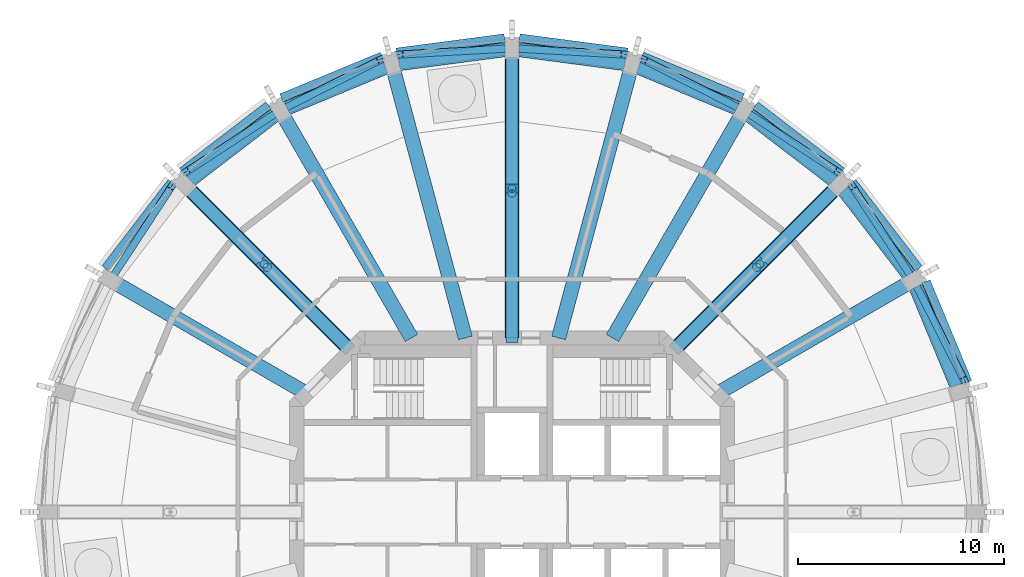
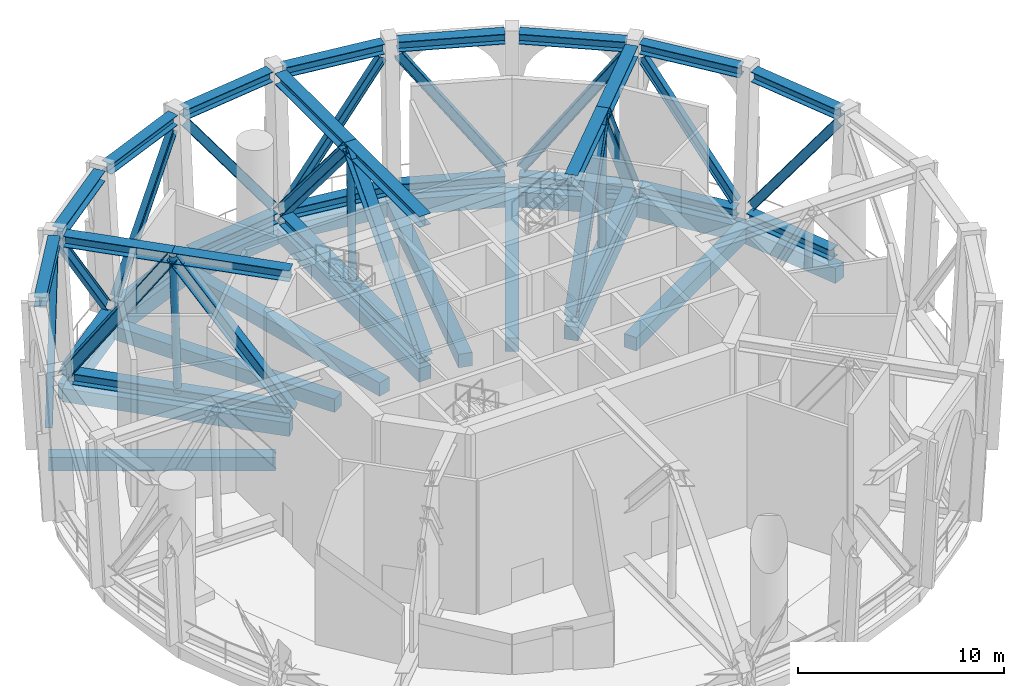
# One storey, part 3 of 12: 44 members, 17 beams.
"""IFC4 building model written with IfcOpenShell, lengths in metres."""

from ifc_helpers import new_model, si_unit, direction, frame, origin, origin_2d, place, context, subcontext, project, spatial, rectangle, hollow_circle, i_section, extrude, material, material_profile, profile_set, type_object, element, save


model = new_model("IFC4")

# Units and contexts
model_context = context("Model", 3, precision=1e-05, world=origin(), true_north=direction((0.0, 1.0)))
body_context = subcontext(model_context, "Body", "Model", "MODEL_VIEW")
ifc_project = project(units=[si_unit("LENGTHUNIT", "METRE"), si_unit("AREAUNIT", "SQUARE_METRE"), si_unit("VOLUMEUNIT", "CUBIC_METRE"), si_unit("PLANEANGLEUNIT", "RADIAN"), si_unit("MASSUNIT", "GRAM", prefix="KILO")], contexts=[model_context])

# Site, building, storey
site_placement = place(None, origin())
site = spatial("IfcSite", under=ifc_project, at=site_placement, CompositionType="ELEMENT")
building_placement = place(site_placement, origin())
building = spatial("IfcBuilding", under=site, at=building_placement, Name="Torre Triforio", CompositionType="ELEMENT")
storey_placement = place(building_placement, frame((0.0, 0.0, 183.800048828125)))
storey = spatial("IfcBuildingStorey", under=building, at=storey_placement, Name="L42", CompositionType="ELEMENT", Elevation=183.800048828125)

# Members
ifc_material_1 = material(Name="Steel ASTM A572 Gr 50", Category="steel")
ifc_material_profile_1 = material_profile(ifc_material_1, i_section(OverallWidth=0.60009765625, OverallDepth=0.60009765625, WebThickness=0.02490234375, FlangeThickness=0.031494140625, at=origin_2d()), Name="CS 600x402")
ifc_profile_set_1 = profile_set([ifc_material_profile_1], Name="Steel ASTM A572 Gr 50")
member_type_1 = type_object("IfcMemberType", Name="Belt truss chord CS 600x402", PredefinedType="CHORD", material=ifc_profile_set_1)
member_1_placement = place(storey_placement, frame((21.6142578125, 6.15380859375, 0.300048828125), z_axis=(-0.382683922195, 0.923879329617, 0.0), x_axis=(-0.923879329617, -0.382683922195, 0.0)))
element("IfcMember", 1, at=member_1_placement, inside=storey, type_object=member_type_1, Name="BT.L42.01.CB", PredefinedType="CHORD", context=body_context, shape_type="SweptSolid", body=[
    extrude(i_section(OverallWidth=0.60009765625, OverallDepth=0.60009765625, WebThickness=0.02490234375, FlangeThickness=0.031494140625, at=origin_2d()), origin(), (0.0, 0.0, 1.0), 5.172119140625),
])
member_2_placement = place(storey_placement, frame((22.050048828125, 6.270751953125, 8.419921875), z_axis=(-0.382671106265, 0.923884638053, 0.0), x_axis=(-0.923884638053, -0.382671106265, 0.0)))
element("IfcMember", 2, at=member_2_placement, inside=storey, type_object=member_type_1, Name="BT.L42.01.CT", PredefinedType="CHORD", context=body_context, shape_type="SweptSolid", body=[
    extrude(i_section(OverallWidth=0.60009765625, OverallDepth=0.60009765625, WebThickness=0.02490234375, FlangeThickness=0.031494140625, at=origin_2d()), origin(), (0.0, 0.0, 1.0), 5.28955078125),
])
member_3_placement = place(storey_placement, frame((19.28515625, 11.538330078125, 0.300048828125), z_axis=(-0.608777333053, 0.793341136436, 0.0), x_axis=(-0.793341136436, -0.608777333053, 0.0)))
element("IfcMember", 3, at=member_3_placement, inside=storey, type_object=member_type_1, Name="BT.L42.02.CB", PredefinedType="CHORD", context=body_context, shape_type="SweptSolid", body=[
    extrude(i_section(OverallWidth=0.60009765625, OverallDepth=0.60009765625, WebThickness=0.02490234375, FlangeThickness=0.031494140625, at=origin_2d()), origin(), (0.0, 0.0, 1.0), 5.172119140625),
])
member_4_placement = place(storey_placement, frame((19.67578125, 11.763916015625, 8.419921875), z_axis=(-0.608751235052, 0.793361162285, 0.0), x_axis=(-0.793361162285, -0.608751235052, 0.0)))
element("IfcMember", 4, at=member_4_placement, inside=storey, type_object=member_type_1, Name="BT.L42.02.CT", PredefinedType="CHORD", context=body_context, shape_type="SweptSolid", body=[
    extrude(i_section(OverallWidth=0.60009765625, OverallDepth=0.60009765625, WebThickness=0.02490234375, FlangeThickness=0.031494140625, at=origin_2d()), origin(), (0.0, 0.0, 1.0), 5.289794921875),
])
member_5_placement = place(storey_placement, frame((15.6416015625, 16.136474609375, 0.300048828125), z_axis=(-0.793341136436, 0.608777333053, 0.0), x_axis=(-0.608777333053, -0.793341136436, 0.0)))
element("IfcMember", 5, at=member_5_placement, inside=storey, type_object=member_type_1, Name="BT.L42.03.CB", PredefinedType="CHORD", context=body_context, shape_type="SweptSolid", body=[
    extrude(i_section(OverallWidth=0.60009765625, OverallDepth=0.60009765625, WebThickness=0.02490234375, FlangeThickness=0.031494140625, at=origin_2d()), origin(), (0.0, 0.0, 1.0), 5.172119140625),
])
member_6_placement = place(storey_placement, frame((15.960693359375, 16.45556640625, 8.419921875), z_axis=(-0.793361162285, 0.608751235052, 0.0), x_axis=(-0.608751235052, -0.793361162285, 0.0)))
element("IfcMember", 6, at=member_6_placement, inside=storey, type_object=member_type_1, Name="BT.L42.03.CT", PredefinedType="CHORD", context=body_context, shape_type="SweptSolid", body=[
    extrude(i_section(OverallWidth=0.60009765625, OverallDepth=0.60009765625, WebThickness=0.02490234375, FlangeThickness=0.031494140625, at=origin_2d()), origin(), (0.0, 0.0, 1.0), 5.289794921875),
])
member_7_placement = place(storey_placement, frame((10.93212890625, 19.635009765625, 0.300048828125), z_axis=(-0.923879329617, 0.382683922195, 0.0), x_axis=(-0.382683922195, -0.923879329617, 0.0)))
element("IfcMember", 7, at=member_7_placement, inside=storey, type_object=member_type_1, Name="BT.L42.04.CB", PredefinedType="CHORD", context=body_context, shape_type="SweptSolid", body=[
    extrude(i_section(OverallWidth=0.60009765625, OverallDepth=0.60009765625, WebThickness=0.02490234375, FlangeThickness=0.031494140625, at=origin_2d()), origin(), (0.0, 0.0, 1.0), 5.172119140625),
])
member_8_placement = place(storey_placement, frame((11.15771484375, 20.02587890625, 8.419921875), z_axis=(-0.923884638053, 0.382671106265, 0.0), x_axis=(-0.382671106265, -0.923884638053, 0.0)))
element("IfcMember", 8, at=member_8_placement, inside=storey, type_object=member_type_1, Name="BT.L42.04.CT", PredefinedType="CHORD", context=body_context, shape_type="SweptSolid", body=[
    extrude(i_section(OverallWidth=0.60009765625, OverallDepth=0.60009765625, WebThickness=0.02490234375, FlangeThickness=0.031494140625, at=origin_2d()), origin(), (0.0, 0.0, 1.0), 5.28955078125),
])
member_9_placement = place(storey_placement, frame((5.477783203125, 21.79541015625, 0.300048828125), z_axis=(-0.99143934679, 0.13056807281, 0.0), x_axis=(-0.13056807281, -0.99143934679, 0.0)))
element("IfcMember", 9, at=member_9_placement, inside=storey, type_object=member_type_1, Name="BT.L42.05.CB", PredefinedType="CHORD", context=body_context, shape_type="SweptSolid", body=[
    extrude(i_section(OverallWidth=0.60009765625, OverallDepth=0.60009765625, WebThickness=0.02490234375, FlangeThickness=0.031494140625, at=origin_2d()), origin(), (0.0, 0.0, 1.0), 5.171875),
])
member_10_placement = place(storey_placement, frame((5.594482421875, 22.231201171875, 8.419921875), z_axis=(-0.991445024435, 0.130524953638, 0.0), x_axis=(-0.130524953638, -0.991445024435, 0.0)))
element("IfcMember", 10, at=member_10_placement, inside=storey, type_object=member_type_1, Name="BT.L42.05.CT", PredefinedType="CHORD", context=body_context, shape_type="SweptSolid", body=[
    extrude(i_section(OverallWidth=0.60009765625, OverallDepth=0.60009765625, WebThickness=0.02490234375, FlangeThickness=0.031494140625, at=origin_2d()), origin(), (0.0, 0.0, 1.0), 5.28955078125),
])
member_11_placement = place(storey_placement, frame((-0.35009765625, 22.470703125, 0.300048828125), z_axis=(-0.99143934679, -0.13056807281, 0.0), x_axis=(0.13056807281, -0.99143934679, 0.0)))
element("IfcMember", 11, at=member_11_placement, inside=storey, type_object=member_type_1, Name="BT.L42.06.CB", PredefinedType="CHORD", context=body_context, shape_type="SweptSolid", body=[
    extrude(i_section(OverallWidth=0.60009765625, OverallDepth=0.60009765625, WebThickness=0.02490234375, FlangeThickness=0.031494140625, at=origin_2d()), origin(), (0.0, 0.0, 1.0), 5.171875),
])
member_12_placement = place(storey_placement, frame((-0.35009765625, 22.921630859375, 8.419921875), z_axis=(-0.991445024435, -0.130524953638, 0.0), x_axis=(0.130524953638, -0.991445024435, 0.0)))
element("IfcMember", 12, at=member_12_placement, inside=storey, type_object=member_type_1, Name="BT.L42.06.CT", PredefinedType="CHORD", context=body_context, shape_type="SweptSolid", body=[
    extrude(i_section(OverallWidth=0.60009765625, OverallDepth=0.60009765625, WebThickness=0.02490234375, FlangeThickness=0.031494140625, at=origin_2d()), origin(), (0.0, 0.0, 1.0), 5.28955078125),
])
member_13_placement = place(storey_placement, frame((-6.15380859375, 21.6142578125, 0.300048828125), z_axis=(-0.923879329617, -0.382683922195, 0.0), x_axis=(0.382683922195, -0.923879329617, 0.0)))
element("IfcMember", 13, at=member_13_placement, inside=storey, type_object=member_type_1, Name="BT.L42.07.CB", PredefinedType="CHORD", context=body_context, shape_type="SweptSolid", body=[
    extrude(i_section(OverallWidth=0.60009765625, OverallDepth=0.60009765625, WebThickness=0.02490234375, FlangeThickness=0.031494140625, at=origin_2d()), origin(), (0.0, 0.0, 1.0), 5.172119140625),
])
member_14_placement = place(storey_placement, frame((-6.270751953125, 22.050048828125, 8.419921875), z_axis=(-0.923884638053, -0.382671106265, 0.0), x_axis=(0.382671106265, -0.923884638053, 0.0)))
element("IfcMember", 14, at=member_14_placement, inside=storey, type_object=member_type_1, Name="BT.L42.07.CT", PredefinedType="CHORD", context=body_context, shape_type="SweptSolid", body=[
    extrude(i_section(OverallWidth=0.60009765625, OverallDepth=0.60009765625, WebThickness=0.02490234375, FlangeThickness=0.031494140625, at=origin_2d()), origin(), (0.0, 0.0, 1.0), 5.28955078125),
])
member_15_placement = place(storey_placement, frame((-11.538330078125, 19.28515625, 0.300048828125), z_axis=(-0.793341136436, -0.608777333053, 0.0), x_axis=(0.608777333053, -0.793341136436, 0.0)))
element("IfcMember", 15, at=member_15_placement, inside=storey, type_object=member_type_1, Name="BT.L42.08.CB", PredefinedType="CHORD", context=body_context, shape_type="SweptSolid", body=[
    extrude(i_section(OverallWidth=0.60009765625, OverallDepth=0.60009765625, WebThickness=0.02490234375, FlangeThickness=0.031494140625, at=origin_2d()), origin(), (0.0, 0.0, 1.0), 5.172119140625),
])
for number, where, z_axis, x_axis, name in (
    (16, (-11.763916015625, 19.67578125, 8.419921875), (-0.793361162285, -0.608751235052, 0.0), (0.608751235052, -0.793361162285, 0.0), "BT.L42.08.CT"),
    (17, (-16.45556640625, 15.960693359375, 8.419921875), (-0.608751235052, -0.793361162285, 0.0), (0.793361162285, -0.608751235052, 0.0), "BT.L42.09.CT"),
):
    element("IfcMember", number, at=place(storey_placement, frame(where, z_axis=z_axis, x_axis=x_axis)), inside=storey, type_object=member_type_1, Name=name, PredefinedType="CHORD", context=body_context, shape_type="SweptSolid", body=[
        extrude(i_section(OverallWidth=0.60009765625, OverallDepth=0.60009765625, WebThickness=0.02490234375, FlangeThickness=0.031494140625, at=origin_2d()), origin(), (0.0, 0.0, 1.0), 5.289794921875),
    ])
ifc_material_profile_2 = material_profile(ifc_material_1, i_section(OverallWidth=0.35009765625, OverallDepth=0.5, WebThickness=0.01904296875, FlangeThickness=0.02490234375, at=origin_2d()), Name="CVS 500x204")
ifc_profile_set_2 = profile_set([ifc_material_profile_2], Name="Steel ASTM A572 Gr 50")
member_type_2 = type_object("IfcMemberType", Name="Belt truss diagonal CVS 500x204", PredefinedType="BRACE", material=ifc_profile_set_2)
for number, where, z_axis, x_axis, name in (
    (18, (21.9833984375, 6.343994140625, 7.8095703125), (-0.266686290397, 0.527758432555, -0.806442471216), (-0.892520251583, -0.451007317583, 0.0), "BT.L42.01.D"),
    (19, (19.2587890625, 11.626953125, 0.90087890625), (-0.323709922375, 0.49484101524, 0.806439244948), (-0.836845635792, -0.547438929795, 0.0), "BT.L42.02.D"),
    (20, (15.8662109375, 16.485595703125, 7.8095703125), (-0.49484101524, 0.323709922375, -0.806439244948), (-0.547438929795, -0.836845635792, 0.0), "BT.L42.03.D"),
    (21, (10.865234375, 19.69873046875, 0.90087890625), (-0.527758432555, 0.266686290397, 0.806442471216), (-0.451007317583, -0.892520251583, 0.0), "BT.L42.04.D"),
):
    element("IfcMember", number, at=place(storey_placement, frame(where, z_axis=z_axis, x_axis=x_axis)), inside=storey, type_object=member_type_2, Name=name, PredefinedType="BRACE", context=body_context, shape_type="SweptSolid", body=[
        extrude(i_section(OverallWidth=0.35009765625, OverallDepth=0.5, WebThickness=0.01904296875, FlangeThickness=0.02490234375, at=origin_2d()), origin(), (0.0, 0.0, 1.0), 8.56689453125),
    ])
for number, where, z_axis, x_axis, name in (
    (22, (5.49755859375, 22.210205078125, 7.8095703125), (-0.590378322033, 0.032915956842, -0.806455191972), (-0.055667552149, -0.998449359576, 0.0), "BT.L42.05.D"),
    (23, (-0.43994140625, 22.4921875, 0.90087890625), (-0.590378322033, -0.032915956842, 0.806455191972), (0.055667552149, -0.998449359576, 0.0), "BT.L42.06.D"),
):
    element("IfcMember", number, at=place(storey_placement, frame(where, z_axis=z_axis, x_axis=x_axis)), inside=storey, type_object=member_type_2, Name=name, PredefinedType="BRACE", context=body_context, shape_type="SweptSolid", body=[
        extrude(i_section(OverallWidth=0.35009765625, OverallDepth=0.5, WebThickness=0.01904296875, FlangeThickness=0.02490234375, at=origin_2d()), origin(), (0.0, 0.0, 1.0), 8.566650390625),
    ])
for number, where, z_axis, x_axis, name in (
    (24, (-6.343994140625, 21.9833984375, 7.8095703125), (-0.527758432555, -0.266686290397, -0.806442471216), (0.451007317583, -0.892520251583, 0.0), "BT.L42.07.D"),
    (25, (-11.626953125, 19.2587890625, 0.90087890625), (-0.49484101524, -0.323709922375, 0.806439244948), (0.547438929795, -0.836845635792, 0.0), "BT.L42.08.D"),
    (26, (-16.485595703125, 15.8662109375, 7.8095703125), (-0.323709922375, -0.49484101524, -0.806439244948), (0.836845635792, -0.547438929795, 0.0), "BT.L42.09.D"),
):
    element("IfcMember", number, at=place(storey_placement, frame(where, z_axis=z_axis, x_axis=x_axis)), inside=storey, type_object=member_type_2, Name=name, PredefinedType="BRACE", context=body_context, shape_type="SweptSolid", body=[
        extrude(i_section(OverallWidth=0.35009765625, OverallDepth=0.5, WebThickness=0.01904296875, FlangeThickness=0.02490234375, at=origin_2d()), origin(), (0.0, 0.0, 1.0), 8.56689453125),
    ])
ifc_material_profile_3 = material_profile(ifc_material_1, i_section(OverallWidth=0.64990234375, OverallDepth=0.64990234375, WebThickness=0.02490234375, FlangeThickness=0.031494140625, at=origin_2d()), Name="CS 650x437")
ifc_profile_set_3 = profile_set([ifc_material_profile_3], Name="Steel ASTM A572 Gr 50")
member_type_3 = type_object("IfcMemberType", Name="Outrigger bottom chord CS 650x437", PredefinedType="CHORD", material=ifc_profile_set_3)
member_16_placement = place(storey_placement, frame((7.847412109375, 7.847412109375, 0.324951171875), z_axis=(0.707106781187, 0.707106781187, 0.0), x_axis=(-0.707106781187, 0.707106781187, 0.0)))
element("IfcMember", 27, at=member_16_placement, inside=storey, type_object=member_type_3, Name="OR.2.CB.1", PredefinedType="CHORD", context=body_context, shape_type="SweptSolid", body=[
    extrude(i_section(OverallWidth=0.64990234375, OverallDepth=0.64990234375, WebThickness=0.02490234375, FlangeThickness=0.031494140625, at=origin_2d()), origin(), (0.0, 0.0, 1.0), 10.920166015625),
])
member_17_placement = place(storey_placement, frame((0.0, 8.449951171875, 0.324951171875), z_axis=(0.0, 1.0, 0.0), x_axis=(-1.0, 0.0, 0.0)))
element("IfcMember", 28, at=member_17_placement, inside=storey, type_object=member_type_3, Name="OR.3.CB.1", PredefinedType="CHORD", context=body_context, shape_type="SweptSolid", body=[
    extrude(i_section(OverallWidth=0.64990234375, OverallDepth=0.64990234375, WebThickness=0.02490234375, FlangeThickness=0.031494140625, at=origin_2d()), origin(), (0.0, 0.0, 1.0), 13.568115234375),
])
member_18_placement = place(storey_placement, frame((-7.847412109375, 7.847412109375, 0.324951171875), z_axis=(-0.707106781187, 0.707106781187, 0.0), x_axis=(-0.707106781187, -0.707106781187, 0.0)))
element("IfcMember", 29, at=member_18_placement, inside=storey, type_object=member_type_3, Name="OR.4.CB.1", PredefinedType="CHORD", context=body_context, shape_type="SweptSolid", body=[
    extrude(i_section(OverallWidth=0.64990234375, OverallDepth=0.64990234375, WebThickness=0.02490234375, FlangeThickness=0.031494140625, at=origin_2d()), origin(), (0.0, 0.0, 1.0), 10.920166015625),
])
ifc_material_profile_4 = material_profile(ifc_material_1, i_section(OverallWidth=0.64990234375, OverallDepth=0.64990234375, WebThickness=0.02490234375, FlangeThickness=0.031494140625, at=origin_2d()), Name="CS 650x437")
ifc_profile_set_4 = profile_set([ifc_material_profile_4], Name="Steel ASTM A572 Gr 50")
member_type_4 = type_object("IfcMemberType", Name="Outrigger top chord CS 650x437", PredefinedType="CHORD", material=ifc_profile_set_4)
member_19_placement = place(storey_placement, frame((7.847412109375, 7.847412109375, 8.39501953125), z_axis=(0.707106781187, 0.707106781187, 0.0), x_axis=(-0.707106781187, 0.707106781187, 0.0)))
element("IfcMember", 30, at=member_19_placement, inside=storey, type_object=member_type_4, Name="OR.2.CT.1", PredefinedType="CHORD", context=body_context, shape_type="SweptSolid", body=[
    extrude(i_section(OverallWidth=0.64990234375, OverallDepth=0.64990234375, WebThickness=0.02490234375, FlangeThickness=0.031494140625, at=origin_2d()), origin(), (0.0, 0.0, 1.0), 5.9345703125),
])
member_20_placement = place(storey_placement, frame((12.043701171875, 12.043701171875, 8.39501953125), z_axis=(0.707106781187, 0.707106781187, 0.0), x_axis=(-0.707106781187, 0.707106781187, 0.0)))
element("IfcMember", 31, at=member_20_placement, inside=storey, type_object=member_type_4, Name="OR.2.CT.2", PredefinedType="CHORD", context=body_context, shape_type="SweptSolid", body=[
    extrude(i_section(OverallWidth=0.64990234375, OverallDepth=0.64990234375, WebThickness=0.02490234375, FlangeThickness=0.031494140625, at=origin_2d()), origin(), (0.0, 0.0, 1.0), 5.43408203125),
])
member_21_placement = place(storey_placement, frame((0.0, 8.449951171875, 8.39501953125), z_axis=(0.0, 1.0, 0.0), x_axis=(-1.0, 0.0, 0.0)))
element("IfcMember", 32, at=member_21_placement, inside=storey, type_object=member_type_4, Name="OR.3.CT.1", PredefinedType="CHORD", context=body_context, shape_type="SweptSolid", body=[
    extrude(i_section(OverallWidth=0.64990234375, OverallDepth=0.64990234375, WebThickness=0.02490234375, FlangeThickness=0.031494140625, at=origin_2d()), origin(), (0.0, 0.0, 1.0), 7.25830078125),
])
member_22_placement = place(storey_placement, frame((0.0, 15.708251953125, 8.39501953125), z_axis=(0.0, 1.0, 0.0), x_axis=(-1.0, 0.0, 0.0)))
element("IfcMember", 33, at=member_22_placement, inside=storey, type_object=member_type_4, Name="OR.3.CT.2", PredefinedType="CHORD", context=body_context, shape_type="SweptSolid", body=[
    extrude(i_section(OverallWidth=0.64990234375, OverallDepth=0.64990234375, WebThickness=0.02490234375, FlangeThickness=0.031494140625, at=origin_2d()), origin(), (0.0, 0.0, 1.0), 6.758056640625),
])
member_23_placement = place(storey_placement, frame((-7.847412109375, 7.847412109375, 8.39501953125), z_axis=(-0.707106781187, 0.707106781187, 0.0), x_axis=(-0.707106781187, -0.707106781187, 0.0)))
element("IfcMember", 34, at=member_23_placement, inside=storey, type_object=member_type_4, Name="OR.4.CT.1", PredefinedType="CHORD", context=body_context, shape_type="SweptSolid", body=[
    extrude(i_section(OverallWidth=0.64990234375, OverallDepth=0.64990234375, WebThickness=0.02490234375, FlangeThickness=0.031494140625, at=origin_2d()), origin(), (0.0, 0.0, 1.0), 5.9345703125),
])
member_24_placement = place(storey_placement, frame((-12.043701171875, 12.043701171875, 8.39501953125), z_axis=(-0.707106781187, 0.707106781187, 0.0), x_axis=(-0.707106781187, -0.707106781187, 0.0)))
element("IfcMember", 35, at=member_24_placement, inside=storey, type_object=member_type_4, Name="OR.4.CT.2", PredefinedType="CHORD", context=body_context, shape_type="SweptSolid", body=[
    extrude(i_section(OverallWidth=0.64990234375, OverallDepth=0.64990234375, WebThickness=0.02490234375, FlangeThickness=0.031494140625, at=origin_2d()), origin(), (0.0, 0.0, 1.0), 5.43408203125),
])
ifc_material_profile_5 = material_profile(ifc_material_1, i_section(OverallWidth=0.60009765625, OverallDepth=0.60009765625, WebThickness=0.02490234375, FlangeThickness=0.031494140625, at=origin_2d()), Name="CS 600x402")
ifc_profile_set_5 = profile_set([ifc_material_profile_5], Name="Steel ASTM A572 Gr 50")
member_type_5 = type_object("IfcMemberType", Name="Outrigger truss diagonal CS 600x402", PredefinedType="BRACE", material=ifc_profile_set_5)
member_25_placement = place(storey_placement, frame((7.847412109375, 7.847412109375, 0.324951171875), z_axis=(0.418909654457, 0.418909654457, 0.805623611128), x_axis=(-0.707106781187, 0.707106781187, 0.0)))
element("IfcMember", 36, at=member_25_placement, inside=storey, type_object=member_type_5, Name="OR.2.D.1", PredefinedType="BRACE", context=body_context, shape_type="SweptSolid", body=[
    extrude(i_section(OverallWidth=0.60009765625, OverallDepth=0.60009765625, WebThickness=0.02490234375, FlangeThickness=0.031494140625, at=origin_2d()), origin(), (0.0, 0.0, 1.0), 10.01708984375),
])
member_26_placement = place(storey_placement, frame((12.043701171875, 12.043701171875, 8.39501953125), z_axis=(0.397511906733, 0.397511906733, -0.827023922272), x_axis=(-0.707106781187, 0.707106781187, 0.0)))
element("IfcMember", 37, at=member_26_placement, inside=storey, type_object=member_type_5, Name="OR.2.D.2", PredefinedType="BRACE", context=body_context, shape_type="SweptSolid", body=[
    extrude(i_section(OverallWidth=0.60009765625, OverallDepth=0.60009765625, WebThickness=0.02490234375, FlangeThickness=0.031494140625, at=origin_2d()), origin(), (0.0, 0.0, 1.0), 9.758056640625),
])
member_27_placement = place(storey_placement, frame((0.0, 8.449951171875, 0.324951171875), z_axis=(0.0, 0.668722366185, 0.743512203641), x_axis=(-1.0, 0.0, 0.0)))
element("IfcMember", 38, at=member_27_placement, inside=storey, type_object=member_type_5, Name="OR.3.D.1", PredefinedType="BRACE", context=body_context, shape_type="SweptSolid", body=[
    extrude(i_section(OverallWidth=0.60009765625, OverallDepth=0.60009765625, WebThickness=0.02490234375, FlangeThickness=0.031494140625, at=origin_2d()), origin(), (0.0, 0.0, 1.0), 10.85400390625),
])
member_28_placement = place(storey_placement, frame((0.0, 15.708251953125, 8.39501953125), z_axis=(0.0, 0.644909345618, -0.764259076449), x_axis=(-1.0, 0.0, 0.0)))
element("IfcMember", 39, at=member_28_placement, inside=storey, type_object=member_type_5, Name="OR.3.D.2", PredefinedType="BRACE", context=body_context, shape_type="SweptSolid", body=[
    extrude(i_section(OverallWidth=0.60009765625, OverallDepth=0.60009765625, WebThickness=0.02490234375, FlangeThickness=0.031494140625, at=origin_2d()), origin(), (0.0, 0.0, 1.0), 10.559326171875),
])
member_29_placement = place(storey_placement, frame((-7.847412109375, 7.847412109375, 0.324951171875), z_axis=(-0.418909654457, 0.418909654457, 0.805623611128), x_axis=(-0.707106781187, -0.707106781187, 0.0)))
element("IfcMember", 40, at=member_29_placement, inside=storey, type_object=member_type_5, Name="OR.4.D.1", PredefinedType="BRACE", context=body_context, shape_type="SweptSolid", body=[
    extrude(i_section(OverallWidth=0.60009765625, OverallDepth=0.60009765625, WebThickness=0.02490234375, FlangeThickness=0.031494140625, at=origin_2d()), origin(), (0.0, 0.0, 1.0), 10.01708984375),
])
member_30_placement = place(storey_placement, frame((-12.043701171875, 12.043701171875, 8.39501953125), z_axis=(-0.397511906733, 0.397511906733, -0.827023922272), x_axis=(-0.707106781187, -0.707106781187, 0.0)))
element("IfcMember", 41, at=member_30_placement, inside=storey, type_object=member_type_5, Name="OR.4.D.2", PredefinedType="BRACE", context=body_context, shape_type="SweptSolid", body=[
    extrude(i_section(OverallWidth=0.60009765625, OverallDepth=0.60009765625, WebThickness=0.02490234375, FlangeThickness=0.031494140625, at=origin_2d()), origin(), (0.0, 0.0, 1.0), 9.758056640625),
])
ifc_material_profile_6 = material_profile(ifc_material_1, hollow_circle(Radius=0.203125, WallThickness=0.02001953125, at=origin_2d()), Name="CHS 406.4x20")
ifc_profile_set_6 = profile_set([ifc_material_profile_6], Name="Steel ASTM A572 Gr 50")
member_type_6 = type_object("IfcMemberType", Name="Outrigger truss post CHS 406.4x20", PredefinedType="POST", material=ifc_profile_set_6)
for number, where, z_axis, x_axis, name in (
    (42, (11.885009765625, 11.885009765625, 0.324951171875), (0.019656596681, 0.019656596681, 0.999613543533), (-0.707106781187, 0.707106781187, 0.0), "OR.2.P.1"),
    (43, (0.0, 15.484130859375, 0.324951171875), (0.0, 0.027761191589, 0.999614583848), (-1.0, 0.0, 0.0), "OR.3.P.1"),
    (44, (-11.885009765625, 11.885009765625, 0.324951171875), (-0.019656596681, 0.019656596681, 0.999613543533), (-0.707106781187, -0.707106781187, 0.0), "OR.4.P.1"),
):
    element("IfcMember", number, at=place(storey_placement, frame(where, z_axis=z_axis, x_axis=x_axis)), inside=storey, type_object=member_type_6, Name=name, PredefinedType="POST", context=body_context, shape_type="SweptSolid", body=[
        extrude(hollow_circle(Radius=0.203125, WallThickness=0.02001953125, at=origin_2d()), origin(), (0.0, 0.0, 1.0), 8.0732421875),
    ])

# Beams
ifc_material_2 = material(Name="Concrete C40", Category="concrete")
ifc_material_profile_7 = material_profile(ifc_material_2, rectangle(XDim=0.699951171875, YDim=0.800048828125, at=origin_2d()), Name="RC 700x800")
ifc_profile_set_7 = profile_set([ifc_material_profile_7], Name="Concrete C40")
beam_type_1 = type_object("IfcBeamType", Name="Radial beam RC 700x800 C40", PredefinedType="BEAM", material=ifc_profile_set_7)
beam_1_placement = place(storey_placement, frame((9.9501953125, 5.744873046875, -0.679931640625), z_axis=(0.866030871389, 0.499990529712, 0.0), x_axis=(-0.499990529712, 0.866030871389, 0.0)))
element("IfcBeam", 45, at=beam_1_placement, inside=storey, type_object=beam_type_1, Name="BM.R.L42.02", PredefinedType="BEAM", context=body_context, shape_type="SweptSolid", body=[
    extrude(rectangle(XDim=0.699951171875, YDim=0.800048828125, at=origin_2d()), origin(), (0.0, 0.0, 1.0), 11.010498046875),
])
beam_2_placement = place(storey_placement, frame((7.847412109375, 7.847412109375, -0.679931640625), z_axis=(0.707106781187, 0.707106781187, 0.0), x_axis=(-0.707106781187, 0.707106781187, 0.0)))
element("IfcBeam", 46, at=beam_2_placement, inside=storey, type_object=beam_type_1, Name="BM.R.L42.03", PredefinedType="BEAM", context=body_context, shape_type="SweptSolid", body=[
    extrude(rectangle(XDim=0.699951171875, YDim=0.800048828125, at=origin_2d()), origin(), (0.0, 0.0, 1.0), 11.402099609375),
])
beam_3_placement = place(storey_placement, frame((4.878662109375, 8.449951171875, -0.679931640625), z_axis=(0.499994440966, 0.866028613271, 0.0), x_axis=(-0.866028613271, 0.499994440966, 0.0)))
element("IfcBeam", 47, at=beam_3_placement, inside=storey, type_object=beam_type_1, Name="BM.R.L42.04", PredefinedType="BEAM", context=body_context, shape_type="SweptSolid", body=[
    extrude(rectangle(XDim=0.699951171875, YDim=0.800048828125, at=origin_2d()), origin(), (0.0, 0.0, 1.0), 12.742919921875),
])
beam_4_placement = place(storey_placement, frame((2.26416015625, 8.449951171875, -0.679931640625), z_axis=(0.258821569245, 0.965925149944, 0.0), x_axis=(-0.965925149944, 0.258821569245, 0.0)))
element("IfcBeam", 48, at=beam_4_placement, inside=storey, type_object=beam_type_1, Name="BM.R.L42.05", PredefinedType="BEAM", context=body_context, shape_type="SweptSolid", body=[
    extrude(rectangle(XDim=0.699951171875, YDim=0.800048828125, at=origin_2d()), origin(), (0.0, 0.0, 1.0), 13.751953125),
])
beam_5_placement = place(storey_placement, frame((0.0, 8.449951171875, -0.679931640625), z_axis=(0.0, 1.0, 0.0), x_axis=(-1.0, 0.0, 0.0)))
element("IfcBeam", 49, at=beam_5_placement, inside=storey, type_object=beam_type_1, Name="BM.R.L42.06", PredefinedType="BEAM", context=body_context, shape_type="SweptSolid", body=[
    extrude(rectangle(XDim=0.699951171875, YDim=0.800048828125, at=origin_2d()), origin(), (0.0, 0.0, 1.0), 14.050048828125),
])
beam_6_placement = place(storey_placement, frame((-2.26416015625, 8.449951171875, -0.679931640625), z_axis=(-0.258821569245, 0.965925149944, 0.0), x_axis=(-0.965925149944, -0.258821569245, 0.0)))
element("IfcBeam", 50, at=beam_6_placement, inside=storey, type_object=beam_type_1, Name="BM.R.L42.07", PredefinedType="BEAM", context=body_context, shape_type="SweptSolid", body=[
    extrude(rectangle(XDim=0.699951171875, YDim=0.800048828125, at=origin_2d()), origin(), (0.0, 0.0, 1.0), 13.751953125),
])
beam_7_placement = place(storey_placement, frame((-4.878662109375, 8.449951171875, -0.679931640625), z_axis=(-0.499994440966, 0.866028613271, 0.0), x_axis=(-0.866028613271, -0.499994440966, 0.0)))
element("IfcBeam", 51, at=beam_7_placement, inside=storey, type_object=beam_type_1, Name="BM.R.L42.08", PredefinedType="BEAM", context=body_context, shape_type="SweptSolid", body=[
    extrude(rectangle(XDim=0.699951171875, YDim=0.800048828125, at=origin_2d()), origin(), (0.0, 0.0, 1.0), 12.742919921875),
])
beam_8_placement = place(storey_placement, frame((-7.847412109375, 7.847412109375, -0.679931640625), z_axis=(-0.707106781187, 0.707106781187, 0.0), x_axis=(-0.707106781187, -0.707106781187, 0.0)))
element("IfcBeam", 52, at=beam_8_placement, inside=storey, type_object=beam_type_1, Name="BM.R.L42.09", PredefinedType="BEAM", context=body_context, shape_type="SweptSolid", body=[
    extrude(rectangle(XDim=0.699951171875, YDim=0.800048828125, at=origin_2d()), origin(), (0.0, 0.0, 1.0), 11.402099609375),
])
beam_9_placement = place(storey_placement, frame((-9.9501953125, 5.744873046875, -0.679931640625), z_axis=(-0.866030871389, 0.499990529712, 0.0), x_axis=(-0.499990529712, -0.866030871389, 0.0)))
element("IfcBeam", 53, at=beam_9_placement, inside=storey, type_object=beam_type_1, Name="BM.R.L42.10", PredefinedType="BEAM", context=body_context, shape_type="SweptSolid", body=[
    extrude(rectangle(XDim=0.699951171875, YDim=0.800048828125, at=origin_2d()), origin(), (0.0, 0.0, 1.0), 11.010498046875),
])
ifc_material_profile_8 = material_profile(ifc_material_2, rectangle(XDim=0.699951171875, YDim=0.89990234375, at=origin_2d()), Name="RC 700x900")
ifc_profile_set_8 = profile_set([ifc_material_profile_8], Name="Concrete C40")
beam_type_2 = type_object("IfcBeamType", Name="Spandrel beam RC 700x900 C40", PredefinedType="SPANDREL", material=ifc_profile_set_8)
beam_10_placement = place(storey_placement, frame((21.7333984375, 5.823486328125, -0.72998046875), z_axis=(-0.382693194178, 0.923875488976, 0.0), x_axis=(-0.923875488976, -0.382693194178, 0.0)))
element("IfcBeam", 54, at=beam_10_placement, inside=storey, type_object=beam_type_2, Name="BM.S.L42.01", PredefinedType="SPANDREL", context=body_context, shape_type="SweptSolid", body=[
    extrude(rectangle(XDim=0.699951171875, YDim=0.89990234375, at=origin_2d()), origin(), (0.0, 0.0, 1.0), 5.87353515625),
])
for number, where, z_axis, x_axis, name in (
    (55, (19.485595703125, 11.25, -0.72998046875), (-0.608762208108, 0.793352742466, 0.0), (-0.793352742466, -0.608762208108, 0.0), "BM.S.L42.02"),
    (56, (15.909912109375, 15.909912109375, -0.72998046875), (-0.793352742466, 0.608762208108, 0.0), (-0.608762208108, -0.793352742466, 0.0), "BM.S.L42.03"),
):
    element("IfcBeam", number, at=place(storey_placement, frame(where, z_axis=z_axis, x_axis=x_axis)), inside=storey, type_object=beam_type_2, Name=name, PredefinedType="SPANDREL", context=body_context, shape_type="SweptSolid", body=[
        extrude(rectangle(XDim=0.699951171875, YDim=0.89990234375, at=origin_2d()), origin(), (0.0, 0.0, 1.0), 5.873779296875),
    ])
beam_11_placement = place(storey_placement, frame((11.25, 19.485595703125, -0.72998046875), z_axis=(-0.923875488976, 0.382693194178, 0.0), x_axis=(-0.382693194178, -0.923875488976, 0.0)))
element("IfcBeam", 57, at=beam_11_placement, inside=storey, type_object=beam_type_2, Name="BM.S.L42.04", PredefinedType="SPANDREL", context=body_context, shape_type="SweptSolid", body=[
    extrude(rectangle(XDim=0.699951171875, YDim=0.89990234375, at=origin_2d()), origin(), (0.0, 0.0, 1.0), 5.87353515625),
])
for number, where, z_axis, x_axis, name in (
    (58, (5.823486328125, 21.7333984375, -0.72998046875), (-0.991446512747, 0.13051364818, 0.0), (-0.13051364818, -0.991446512747, 0.0), "BM.S.L42.05"),
    (59, (0.0, 22.5, -0.72998046875), (-0.991446512747, -0.13051364818, 0.0), (0.13051364818, -0.991446512747, 0.0), "BM.S.L42.06"),
):
    element("IfcBeam", number, at=place(storey_placement, frame(where, z_axis=z_axis, x_axis=x_axis)), inside=storey, type_object=beam_type_2, Name=name, PredefinedType="SPANDREL", context=body_context, shape_type="SweptSolid", body=[
        extrude(rectangle(XDim=0.699951171875, YDim=0.89990234375, at=origin_2d()), origin(), (0.0, 0.0, 1.0), 5.873779296875),
    ])
beam_12_placement = place(storey_placement, frame((-5.823486328125, 21.7333984375, -0.72998046875), z_axis=(-0.923875488976, -0.382693194178, 0.0), x_axis=(0.382693194178, -0.923875488976, 0.0)))
element("IfcBeam", 60, at=beam_12_placement, inside=storey, type_object=beam_type_2, Name="BM.S.L42.07", PredefinedType="SPANDREL", context=body_context, shape_type="SweptSolid", body=[
    extrude(rectangle(XDim=0.699951171875, YDim=0.89990234375, at=origin_2d()), origin(), (0.0, 0.0, 1.0), 5.87353515625),
])
beam_13_placement = place(storey_placement, frame((-11.25, 19.485595703125, -0.72998046875), z_axis=(-0.793352742466, -0.608762208108, 0.0), x_axis=(0.608762208108, -0.793352742466, 0.0)))
element("IfcBeam", 61, at=beam_13_placement, inside=storey, type_object=beam_type_2, Name="BM.S.L42.08", PredefinedType="SPANDREL", context=body_context, shape_type="SweptSolid", body=[
    extrude(rectangle(XDim=0.699951171875, YDim=0.89990234375, at=origin_2d()), origin(), (0.0, 0.0, 1.0), 5.873779296875),
])

save(model, "model.ifc")
